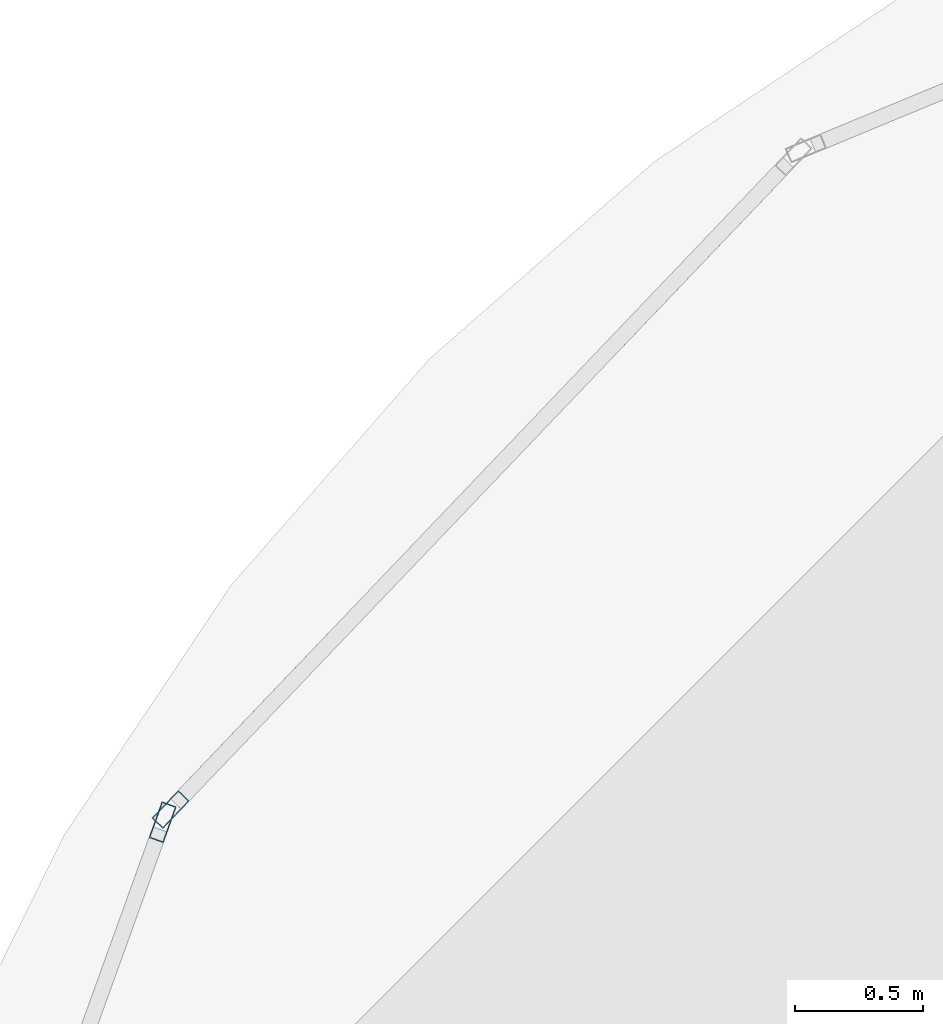
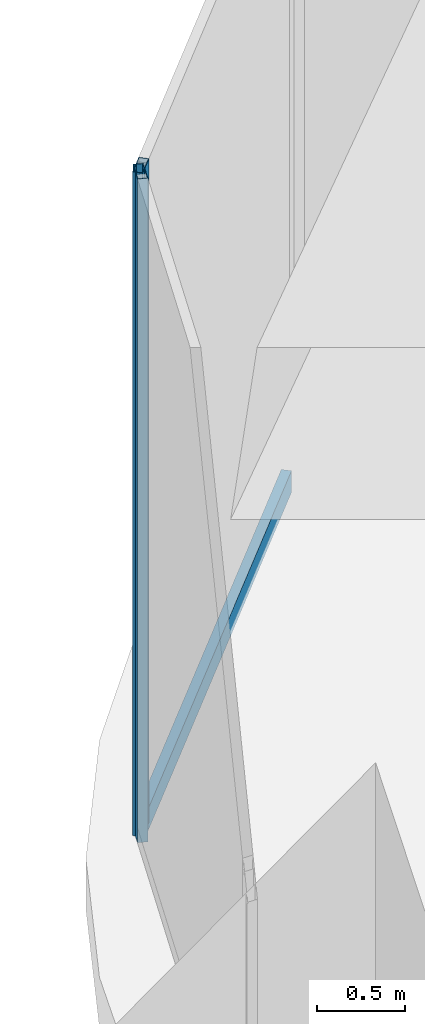
# One storey, part 23 of 35: 3 members, 2 elements without a shape of their own.
"""IFC4 building model written with IfcOpenShell, lengths in metres."""

from ifc_helpers import new_model, si_unit, direction, frame, origin, origin_2d, place, context, subcontext, project, spatial, hollow_rectangle, extrude, material, material_profile, profile_set, type_object, element, aggregate, save


model = new_model("IFC4")

# Units and contexts
model_context = context("Model", 3, precision=1e-05, world=origin(), true_north=direction((0.0, 1.0)))
body_context = subcontext(model_context, "Body", "Model", "MODEL_VIEW")
ifc_project = project(units=[si_unit("LENGTHUNIT", "METRE"), si_unit("AREAUNIT", "SQUARE_METRE"), si_unit("VOLUMEUNIT", "CUBIC_METRE"), si_unit("PLANEANGLEUNIT", "RADIAN"), si_unit("MASSUNIT", "GRAM", prefix="KILO")], contexts=[model_context])

# Site, building, storey
site_placement = place(None, origin())
site = spatial("IfcSite", under=ifc_project, at=site_placement, CompositionType="ELEMENT")
building_placement = place(site_placement, origin())
building = spatial("IfcBuilding", under=site, at=building_placement, Name="Zorevar Civic Tower", CompositionType="ELEMENT")
storey_placement = place(building_placement, frame((0.0, 0.0, 80.0)))
storey = spatial("IfcBuildingStorey", under=building, at=storey_placement, Name="L19", CompositionType="ELEMENT", Elevation=80.0)

# Curtain wall, member
ifc_material_1 = material(Name="Black aluminium louvres", Category="aluminium")
curtain_wall_type = type_object("IfcCurtainWallType", Name="Louvred curtain wall CW6 refuge", PredefinedType="NOTDEFINED", material=ifc_material_1)
curtain_wall_1_placement = place(storey_placement, origin())
curtain_wall_1 = element("IfcCurtainWall", 1, at=curtain_wall_1_placement, inside=storey, type_object=curtain_wall_type, Name="CW6 L19", PredefinedType="NOTDEFINED")
ifc_material_2 = material(Name="Aluminium, black anodised", Category="aluminium")
ifc_material_profile_1 = material_profile(ifc_material_2, hollow_rectangle(XDim=0.06005859375, YDim=0.14990234375, WallThickness=0.00390625, at=origin_2d()), Name="AL 150x60x4")
ifc_profile_set_1 = profile_set([ifc_material_profile_1], Name="Aluminium, black anodised")
member_type_1 = type_object("IfcMemberType", Name="CW6 mullion AL 150x60x4", PredefinedType="MULLION", material=ifc_profile_set_1)
member_1_placement = place(storey_placement, frame((1.623046875, 49.60009765625, 0.0), z_axis=(0.0, 0.0, 1.0), x_axis=(0.723392628671, -0.690436894136, 0.0)))
member_1 = element("IfcMember", 2, at=member_1_placement, type_object=member_type_1, Name="CW6 mullion 2", PredefinedType="MULLION", context=body_context, shape_type="SweptSolid", body=[
    extrude(hollow_rectangle(XDim=0.06005859375, YDim=0.14990234375, WallThickness=0.00390625, at=origin_2d()), origin(), (0.0, 0.0, 1.0), 4.60009765625),
])

curtain_wall_2_placement = place(storey_placement, origin())
curtain_wall_2 = element("IfcCurtainWall", 3, at=curtain_wall_2_placement, inside=storey, type_object=curtain_wall_type, Name="CW6 L19", PredefinedType="NOTDEFINED")
member_2_placement = place(storey_placement, frame((1.592041015625, 49.55029296875, 0.0), z_axis=(0.0, 0.0, 1.0), x_axis=(0.940636829761, -0.339414723454, 0.0)))
member_2 = element("IfcMember", 4, at=member_2_placement, type_object=member_type_1, Name="CW6 mullion 1", PredefinedType="MULLION", context=body_context, shape_type="SweptSolid", body=[
    extrude(hollow_rectangle(XDim=0.06005859375, YDim=0.14990234375, WallThickness=0.00390625, at=origin_2d()), origin(), (0.0, 0.0, 1.0), 4.60009765625),
])
aggregate(curtain_wall_2, [member_2])

# Member
ifc_material_3 = material(Name="Aluminium, black anodised", Category="aluminium")
ifc_material_profile_2 = material_profile(ifc_material_3, hollow_rectangle(XDim=0.06005859375, YDim=0.14990234375, WallThickness=0.00390625, at=origin_2d()), Name="AL 150x60x4")
ifc_profile_set_2 = profile_set([ifc_material_profile_2], Name="Aluminium, black anodised")
member_type_2 = type_object("IfcMemberType", Name="CW6 transom AL 150x60x4", PredefinedType="USERDEFINED", material=ifc_profile_set_2)
member_3_placement = place(storey_placement, frame((4.04052734375, 52.133056640625, 0.030029296875), z_axis=(-0.690459020354, -0.723371509815, 0.0), x_axis=(0.723371509815, -0.690459020354, 0.0)))
member_3 = element("IfcMember", 5, at=member_3_placement, type_object=member_type_2, Name="CW6 sill transom", ObjectType="TRANSOM", PredefinedType="USERDEFINED", context=body_context, shape_type="SweptSolid", body=[
    extrude(hollow_rectangle(XDim=0.06005859375, YDim=0.14990234375, WallThickness=0.00390625, at=origin_2d()), origin(), (0.0, 0.0, 1.0), 3.4716796875),
])

aggregate(curtain_wall_1, [member_1, member_3])

save(model, "model.ifc")
